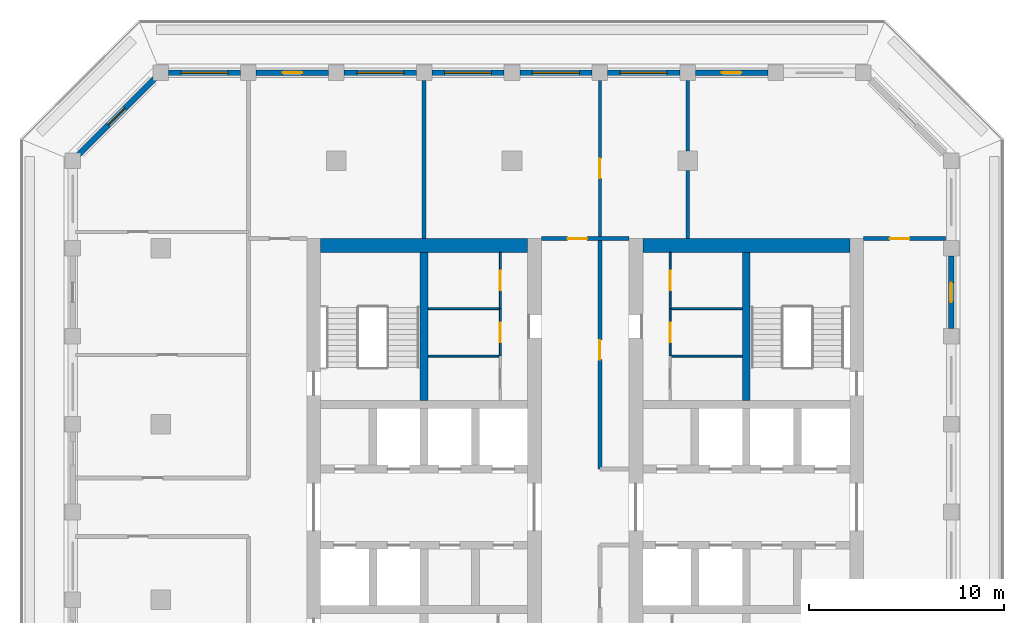
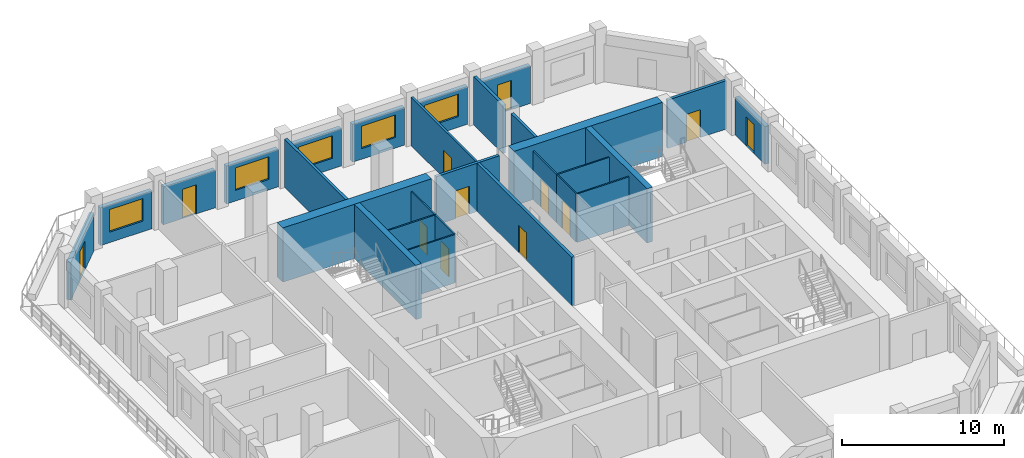
# One storey, part 6 of 14: 28 walls, 12 doors, 5 windows, 17 openings.
"""IFC4 building model written with IfcOpenShell, lengths in metres."""

import ifcopenshell
import ifcopenshell.guid

model = None  # the IFC model being written
_history = None  # IfcOwnerHistory: only IFC2X3 demands one
_inside = {}  # id of a spatial element -> (the spatial element, [elements in it])
_under = {}  # id of a project, library or spatial element -> (it, [spatial elements below it])
_declared = {}  # id of a project -> (the project, [libraries it declares])
_typed = {}  # id of a type object -> (the type object, [elements of that type])
_made_of = {}  # id of a material, layer set ... -> (it, [elements and type objects made of it])


def new_model(schema):
    """Start an empty IFC model of exactly this schema.

    Asked for "IFC4X3", IfcOpenShell would pick the latest addendum, in which some entities
    have other attributes; the version numbers below select the first issue.
    IFC2X3 requires an IfcOwnerHistory on every rooted entity: one is made here for all.
    """
    global model, _history
    if schema == "IFC4X3":
        model = ifcopenshell.file(schema_version=(4, 3, 0, 0))
    else:
        model = ifcopenshell.file(schema=schema)
    _inside.clear()
    _under.clear()
    _declared.clear()
    _typed.clear()
    _made_of.clear()
    _history = None
    if model.schema == "IFC2X3":
        org = make("IfcOrganization", Name="unknown")
        user = make(
            "IfcPersonAndOrganization",
            ThePerson=make("IfcPerson", FamilyName="unknown"),
            TheOrganization=org,
        )
        app = make(
            "IfcApplication",
            ApplicationDeveloper=org,
            Version="unknown",
            ApplicationFullName="unknown",
            ApplicationIdentifier="unknown",
        )
        _history = make(
            "IfcOwnerHistory",
            OwningUser=user,
            OwningApplication=app,
            ChangeAction="ADDED",
            CreationDate=0,
        )
    return model


def make(cls, **values):
    """One entity of the class cls with the attributes given. An attribute that is None is left unset."""
    return model.create_entity(
        cls, **{name: value for name, value in values.items() if value is not None}
    )


def rooted(cls, **values):
    """An entity with a GlobalId (a new one), such as an element, a storey or a relation."""
    return make(cls, GlobalId=ifcopenshell.guid.new(), OwnerHistory=_history, **values)


def si_unit(unit_type, name, prefix=None):
    """IfcSIUnit, for example si_unit("LENGTHUNIT", "METRE", prefix="MILLI")."""
    return make("IfcSIUnit", UnitType=unit_type, Prefix=prefix, Name=name)


def assignment(units):
    """IfcUnitAssignment: the units of a project."""
    return None if units is None else make("IfcUnitAssignment", Units=units)


def point(xyz):
    """IfcCartesianPoint."""
    return None if xyz is None else make("IfcCartesianPoint", Coordinates=xyz)


def direction(xyz):
    """IfcDirection."""
    return None if xyz is None else make("IfcDirection", DirectionRatios=xyz)


def frame(location, z_axis=None, x_axis=None):
    """IfcAxis2Placement3D, a coordinate frame: its origin and axes. An axis left out is left unset."""
    return make(
        "IfcAxis2Placement3D",
        Location=point(location),
        Axis=direction(z_axis),
        RefDirection=direction(x_axis),
    )


def frame_2d(location, x_axis=None):
    """IfcAxis2Placement2D, a coordinate frame in the plane: its origin and x axis."""
    return make(
        "IfcAxis2Placement2D", Location=point(location), RefDirection=direction(x_axis)
    )


def origin():
    """The frame at (0, 0, 0) with its axes left unset."""
    return frame((0.0, 0.0, 0.0))


def place(relative_to, where):
    """IfcLocalPlacement: puts the frame where relative to a parent placement (None: the world)."""
    return make(
        "IfcLocalPlacement", PlacementRelTo=relative_to, RelativePlacement=where
    )


def context(
    kind, dimensions, precision=None, world=None, true_north=None, identifier=None
):
    """IfcGeometricRepresentationContext, for example the 3D "Model" context."""
    return make(
        "IfcGeometricRepresentationContext",
        ContextIdentifier=identifier,
        ContextType=kind,
        CoordinateSpaceDimension=dimensions,
        Precision=precision,
        WorldCoordinateSystem=world,
        TrueNorth=true_north,
    )


def subcontext(parent, identifier, kind, view, scale=None):
    """IfcGeometricRepresentationSubContext, for example "Body" below "Model"."""
    return make(
        "IfcGeometricRepresentationSubContext",
        ContextIdentifier=identifier,
        ContextType=kind,
        ParentContext=parent,
        TargetScale=scale,
        TargetView=view,
    )


def project(units=None, contexts=None):
    """IfcProject with its units and contexts."""
    return rooted(
        "IfcProject",
        Name="project",
        RepresentationContexts=contexts,
        UnitsInContext=assignment(units),
    )


def spatial(cls, under=None, at=None, **own):
    """A site, building, storey or space (cls), placed at a placement, below another one or the project."""
    s = rooted(cls, ObjectPlacement=at, **own)
    if under is not None:
        _under.setdefault(under.id(), (under, []))[1].append(s)
    return s


def profile(cls, at=None, kind="AREA", **sizes):
    """A parametric profile (cls). Its sizes go by their IFC names, for example OverallWidth=200.0."""
    return make(cls, ProfileType=kind, Position=at, **sizes)


def rectangle(**sizes):
    """IfcRectangleProfileDef."""
    return profile("IfcRectangleProfileDef", **sizes)


def extrude(swept, where, along, depth):
    """IfcExtrudedAreaSolid: the profile swept, set in the frame where, extruded along a direction by depth."""
    return make(
        "IfcExtrudedAreaSolid",
        SweptArea=swept,
        Position=where,
        ExtrudedDirection=direction(along),
        Depth=depth,
    )


def shape(context_of_items, identifier, shape_type, items):
    """IfcShapeRepresentation: the items that make up one representation, for example the "Body"."""
    return make(
        "IfcShapeRepresentation",
        ContextOfItems=context_of_items,
        RepresentationIdentifier=identifier,
        RepresentationType=shape_type,
        Items=items,
    )


def material(Name=None, Category=None):
    """IfcMaterial."""
    return make("IfcMaterial", Name=Name, Category=Category)


def layer(
    of_material, thickness, ventilated=None, Name=None, Category=None, Priority=None
):
    """IfcMaterialLayer: one layer of a wall or slab, of a material (None: an air gap)."""
    return make(
        "IfcMaterialLayer",
        Material=of_material,
        LayerThickness=thickness,
        IsVentilated=ventilated,
        Name=Name,
        Category=Category,
        Priority=Priority,
    )


def layer_set(layers, Name=None):
    """IfcMaterialLayerSet."""
    return make("IfcMaterialLayerSet", MaterialLayers=layers, LayerSetName=Name)


def made_of(thing, what):
    """Note that an element or type object is made of a material, layer set ...; save() writes the relation."""
    if what is not None:
        _made_of.setdefault(what.id(), (what, []))[1].append(thing)
    return thing


def type_object(cls, material=None, **own):
    """A type object (cls), such as IfcWallType, which elements share."""
    return made_of(rooted(cls, **own), material)


def element(
    cls,
    number,
    at=None,
    inside=None,
    cuts=None,
    type_object=None,
    material=None,
    context=None,
    identifier="Body",
    shape_type=None,
    held_by="IfcProductDefinitionShape",
    body=None,
    shapes=None,
    **own,
):
    """One element of the class cls, such as IfcWall. Its Tag is "e" and its number.

    at: its placement. inside: the storey or other place that contains it. cuts: it is an
    opening in that element (IfcRelVoidsElement). A single representation is given by context,
    identifier, shape_type and body (its items); several are given by shapes. held_by: the class
    of the entity that holds the representations. save() writes the other relations.
    """
    e = rooted(cls, Tag="e%d" % number, ObjectPlacement=at, **own)
    if body is not None:
        shapes = [shape(context, identifier, shape_type, body)]
    if shapes is not None:
        e.Representation = make(held_by, Representations=shapes)
    if inside is not None:
        _inside.setdefault(inside.id(), (inside, []))[1].append(e)
    if cuts is not None:
        rooted(
            "IfcRelVoidsElement", RelatingBuildingElement=cuts, RelatedOpeningElement=e
        )
    if type_object is not None:
        _typed.setdefault(type_object.id(), (type_object, []))[1].append(e)
    return made_of(e, material)


def fill(opening, filler):
    """IfcRelFillsElement: the door or window that sits in an opening."""
    return rooted(
        "IfcRelFillsElement",
        RelatingOpeningElement=opening,
        RelatedBuildingElement=filler,
    )


def aggregate(whole, parts):
    """IfcRelAggregates: a whole, such as a stair, and the parts it consists of."""
    return rooted("IfcRelAggregates", RelatingObject=whole, RelatedObjects=parts)


def save(model, path):
    """Write the relations noted so far, then the file.

    IfcRelAggregates (storeys below a building ...), IfcRelContainedInSpatialStructure (elements
    in a storey), IfcRelDefinesByType, IfcRelAssociatesMaterial and IfcRelDeclares: one each for
    every whole, place, type object, material and project.
    """
    for whole, parts in _under.values():
        aggregate(whole, parts)
    for where, things in _inside.values():
        rooted(
            "IfcRelContainedInSpatialStructure",
            RelatedElements=things,
            RelatingStructure=where,
        )
    for kind, things in _typed.values():
        rooted("IfcRelDefinesByType", RelatedObjects=things, RelatingType=kind)
    for what, things in _made_of.values():
        rooted("IfcRelAssociatesMaterial", RelatedObjects=things, RelatingMaterial=what)
    for by, libraries in _declared.values():
        rooted("IfcRelDeclares", RelatingContext=by, RelatedDefinitions=libraries)
    model.write(path)


model = new_model("IFC4")

# Units and contexts
model_context = context("Model", 3, precision=1e-05, world=origin(), true_north=direction((0.0, 1.0)))
body_context = subcontext(model_context, "Body", "Model", "MODEL_VIEW")
ifc_project = project(units=[si_unit("LENGTHUNIT", "METRE"), si_unit("AREAUNIT", "SQUARE_METRE"), si_unit("VOLUMEUNIT", "CUBIC_METRE"), si_unit("PLANEANGLEUNIT", "RADIAN"), si_unit("MASSUNIT", "GRAM", prefix="KILO")], contexts=[model_context])

# Site, building, storey
site_placement = place(None, origin())
site = spatial("IfcSite", under=ifc_project, at=site_placement, CompositionType="ELEMENT")
building_placement = place(site_placement, origin())
building = spatial("IfcBuilding", under=site, at=building_placement, Name="Corbel Stack Research Tower", CompositionType="ELEMENT")
storey_placement = place(building_placement, frame((0.0, 0.0, 286.800048828125)))
storey = spatial("IfcBuildingStorey", under=building, at=storey_placement, Name="L65", CompositionType="ELEMENT", Elevation=286.800048828125)

# Walls
ifc_material_1 = material(Name="Concrete C60/75", Category="concrete")
ifc_layer_1 = layer(ifc_material_1, 0.39990234375)
ifc_layer_set_1 = layer_set([ifc_layer_1], Name="Concrete C60/75")
wall_type_1 = type_object("IfcWallType", Name="CW-400-60", PredefinedType="SHEAR", material=ifc_layer_set_1)
for number, where, z_axis, x_axis, name in (
    (1, (-4.5, 10.199951171875, 0.0), (0.0, 0.0, 1.0), (0.0, 1.0, 0.0), "West core wall, north stair and riser L65"),
    (2, (12.0, 10.199951171875, 0.0), (0.0, 0.0, 1.0), (0.0, 1.0, 0.0), "East core wall, north stair and riser L65"),
):
    element("IfcWall", number, at=place(storey_placement, frame(where, z_axis=z_axis, x_axis=x_axis)), inside=storey, type_object=wall_type_1, Name=name, PredefinedType="SHEAR", context=body_context, shape_type="SweptSolid", body=[
        extrude(rectangle(XDim=7.60009765625, YDim=0.39990234375, at=frame_2d((3.800048828125, 0.0))), origin(), (0.0, 0.0, 1.0), 4.099853515625),
    ])
ifc_material_2 = material(Name="Concrete C60/75", Category="concrete")
ifc_layer_2 = layer(ifc_material_2, 0.699951171875)
ifc_layer_set_2 = layer_set([ifc_layer_2], Name="Concrete C60/75")
wall_type_2 = type_object("IfcWallType", Name="CW-700-60", PredefinedType="SHEAR", material=ifc_layer_set_2)
for number, where, z_axis, x_axis, name in (
    (3, (-9.800048828125, 18.14990234375, 0.0), (0.0, 0.0, 1.0), (1.0, 0.0, 0.0), "West core wall, north end L65"),
    (4, (6.699951171875, 18.14990234375, 0.0), (0.0, 0.0, 1.0), (1.0, 0.0, 0.0), "East core wall, north end L65"),
):
    element("IfcWall", number, at=place(storey_placement, frame(where, z_axis=z_axis, x_axis=x_axis)), inside=storey, type_object=wall_type_2, Name=name, PredefinedType="SHEAR", context=body_context, shape_type="SweptSolid", body=[
        extrude(rectangle(XDim=10.60009765625, YDim=0.699951171875, at=frame_2d((5.300048828125, 0.0))), origin(), (0.0, 0.0, 1.0), 4.099853515625),
    ])

# Wall, opening, door
ifc_material_3 = material(Name="Gypsum board")
ifc_layer_3 = layer(ifc_material_3, 0.10009765625)
ifc_layer_set_3 = layer_set([ifc_layer_3], Name="Gypsum board")
wall_type_3 = type_object("IfcWallType", Name="Core partition 100", PredefinedType="PARTITIONING", material=ifc_layer_set_3)
wall_1_placement = place(storey_placement, frame((-0.60009765625, 12.47998046875, 0.0), z_axis=(0.0, 0.0, 1.0), x_axis=(0.0, 1.0, 0.0)))
wall_1 = element("IfcWall", 5, at=wall_1_placement, inside=storey, type_object=wall_type_3, Name="Core partition W", PredefinedType="PARTITIONING", context=body_context, shape_type="SweptSolid", body=[
    extrude(rectangle(XDim=2.43212890625, YDim=0.10009765625, at=frame_2d((1.216064453125, 0.0))), origin(), (0.0, 0.0, 1.0), 3.64990234375),
])
opening_1_placement = place(wall_1_placement, frame((0.716064453125, 0.0, 0.0)))
opening_1 = element("IfcOpeningElement", 6, at=opening_1_placement, cuts=wall_1, Name="Opening CR-W42-R3-1000", PredefinedType="OPENING", context=body_context, shape_type="SweptSolid", body=[
    extrude(rectangle(XDim=1.0, YDim=2.10009765625, at=frame_2d((0.5, 1.050048828125))), frame((0.0, 0.06005859375, 0.0), z_axis=(0.0, -1.0, 0.0), x_axis=(1.0, 0.0, 0.0)), (0.0, 0.0, 1.0), 0.1201171875),
])
ifc_material_4 = material(Name="Painted steel door", Category="steel")
door_type_1 = type_object("IfcDoorType", Name="Service door 1000 x 2100 FD30 left hand", OperationType="SINGLE_SWING_LEFT", PredefinedType="DOOR", material=ifc_material_4)
door_1_placement = place(opening_1_placement, origin())
door_1 = element("IfcDoor", 7, at=door_1_placement, inside=storey, type_object=door_type_1, Name="Pantry door W core", OperationType="SINGLE_SWING_LEFT", OverallHeight=2.10009765625, OverallWidth=1.0, PredefinedType="DOOR", context=body_context, shape_type="SweptSolid", body=[
    extrude(rectangle(XDim=1.0, YDim=2.10009765625, at=frame_2d((0.5, 1.050048828125))), frame((0.0, 0.02490234375, 0.0), z_axis=(0.0, -1.0, 0.0), x_axis=(1.0, 0.0, 0.0)), (0.0, 0.0, 1.0), 0.050048828125),
])
fill(opening_1, door_1)

wall_2_placement = place(storey_placement, frame((-0.60009765625, 14.912109375, 0.0), z_axis=(0.0, 0.0, 1.0), x_axis=(0.0, 1.0, 0.0)))
wall_2 = element("IfcWall", 8, at=wall_2_placement, inside=storey, type_object=wall_type_3, Name="Core partition W", PredefinedType="PARTITIONING", context=body_context, shape_type="SweptSolid", body=[
    extrude(rectangle(XDim=2.887939453125, YDim=0.10009765625, at=frame_2d((1.44384765625, 0.0))), origin(), (0.0, 0.0, 1.0), 3.64990234375),
])
opening_2_placement = place(wall_2_placement, frame((0.944091796875, 0.0, 0.0)))
opening_2 = element("IfcOpeningElement", 9, at=opening_2_placement, cuts=wall_2, Name="Opening CR-W42-R4-1000", PredefinedType="OPENING", context=body_context, shape_type="SweptSolid", body=[
    extrude(rectangle(XDim=1.0, YDim=2.10009765625, at=frame_2d((0.5, 1.050048828125))), frame((0.0, 0.06005859375, 0.0), z_axis=(0.0, -1.0, 0.0), x_axis=(1.0, 0.0, 0.0)), (0.0, 0.0, 1.0), 0.1201171875),
])
ifc_material_5 = material(Name="Painted steel door", Category="steel")
door_type_2 = type_object("IfcDoorType", Name="Riser door 1000 x 2100 FD60 right hand", OperationType="SINGLE_SWING_RIGHT", PredefinedType="DOOR", material=ifc_material_5)
door_2_placement = place(opening_2_placement, origin())
door_2 = element("IfcDoor", 10, at=door_2_placement, inside=storey, type_object=door_type_2, Name="Electrical riser door W core", OperationType="SINGLE_SWING_RIGHT", OverallHeight=2.10009765625, OverallWidth=1.0, PredefinedType="DOOR", context=body_context, shape_type="SweptSolid", body=[
    extrude(rectangle(XDim=1.0, YDim=2.10009765625, at=frame_2d((0.5, 1.050048828125))), frame((0.0, 0.02490234375, 0.0), z_axis=(0.0, -1.0, 0.0), x_axis=(1.0, 0.0, 0.0)), (0.0, 0.0, 1.0), 0.050048828125),
])
fill(opening_2, door_2)

# Walls
for number, where, z_axis, x_axis, name in (
    (11, (-4.300048828125, 12.47998046875, 0.0), (0.0, 0.0, 1.0), (1.0, 0.0, 0.0), "Core partition W"),
    (12, (-4.300048828125, 14.912109375, 0.0), (0.0, 0.0, 1.0), (1.0, 0.0, 0.0), "Core partition W"),
):
    element("IfcWall", number, at=place(storey_placement, frame(where, z_axis=z_axis, x_axis=x_axis)), inside=storey, type_object=wall_type_3, Name=name, PredefinedType="PARTITIONING", context=body_context, shape_type="SweptSolid", body=[
        extrude(rectangle(XDim=3.699951171875, YDim=0.10009765625, at=frame_2d((1.85009765625, 0.0))), origin(), (0.0, 0.0, 1.0), 3.64990234375),
    ])

# Wall, opening, door
wall_3_placement = place(storey_placement, frame((8.10009765625, 12.47998046875, 0.0), z_axis=(0.0, 0.0, 1.0), x_axis=(0.0, 1.0, 0.0)))
wall_3 = element("IfcWall", 13, at=wall_3_placement, inside=storey, type_object=wall_type_3, Name="Core partition E", PredefinedType="PARTITIONING", context=body_context, shape_type="SweptSolid", body=[
    extrude(rectangle(XDim=2.43212890625, YDim=0.10009765625, at=frame_2d((1.216064453125, 0.0))), origin(), (0.0, 0.0, 1.0), 3.64990234375),
])
opening_3_placement = place(wall_3_placement, frame((0.716064453125, 0.0, 0.0)))
opening_3 = element("IfcOpeningElement", 14, at=opening_3_placement, cuts=wall_3, Name="Opening CR-E42-R3-1000", PredefinedType="OPENING", context=body_context, shape_type="SweptSolid", body=[
    extrude(rectangle(XDim=1.0, YDim=2.10009765625, at=frame_2d((0.5, 1.050048828125))), frame((0.0, 0.06005859375, 0.0), z_axis=(0.0, -1.0, 0.0), x_axis=(1.0, 0.0, 0.0)), (0.0, 0.0, 1.0), 0.1201171875),
])
ifc_material_6 = material(Name="Painted steel door", Category="steel")
door_type_3 = type_object("IfcDoorType", Name="Service door 1000 x 2100 FD30 right hand", OperationType="SINGLE_SWING_RIGHT", PredefinedType="DOOR", material=ifc_material_6)
door_3_placement = place(opening_3_placement, origin())
door_3 = element("IfcDoor", 15, at=door_3_placement, inside=storey, type_object=door_type_3, Name="Pantry door E core", OperationType="SINGLE_SWING_RIGHT", OverallHeight=2.10009765625, OverallWidth=1.0, PredefinedType="DOOR", context=body_context, shape_type="SweptSolid", body=[
    extrude(rectangle(XDim=1.0, YDim=2.10009765625, at=frame_2d((0.5, 1.050048828125))), frame((0.0, 0.02490234375, 0.0), z_axis=(0.0, -1.0, 0.0), x_axis=(1.0, 0.0, 0.0)), (0.0, 0.0, 1.0), 0.050048828125),
])
fill(opening_3, door_3)

wall_4_placement = place(storey_placement, frame((8.10009765625, 14.912109375, 0.0), z_axis=(0.0, 0.0, 1.0), x_axis=(0.0, 1.0, 0.0)))
wall_4 = element("IfcWall", 16, at=wall_4_placement, inside=storey, type_object=wall_type_3, Name="Core partition E", PredefinedType="PARTITIONING", context=body_context, shape_type="SweptSolid", body=[
    extrude(rectangle(XDim=2.887939453125, YDim=0.10009765625, at=frame_2d((1.44384765625, 0.0))), origin(), (0.0, 0.0, 1.0), 3.64990234375),
])
opening_4_placement = place(wall_4_placement, frame((0.944091796875, 0.0, 0.0)))
opening_4 = element("IfcOpeningElement", 17, at=opening_4_placement, cuts=wall_4, Name="Opening CR-E42-R4-1000", PredefinedType="OPENING", context=body_context, shape_type="SweptSolid", body=[
    extrude(rectangle(XDim=1.0, YDim=2.10009765625, at=frame_2d((0.5, 1.050048828125))), frame((0.0, 0.06005859375, 0.0), z_axis=(0.0, -1.0, 0.0), x_axis=(1.0, 0.0, 0.0)), (0.0, 0.0, 1.0), 0.1201171875),
])
ifc_material_7 = material(Name="Painted steel door", Category="steel")
door_type_4 = type_object("IfcDoorType", Name="Riser door 1000 x 2100 FD60 left hand", OperationType="SINGLE_SWING_LEFT", PredefinedType="DOOR", material=ifc_material_7)
door_4_placement = place(opening_4_placement, origin())
door_4 = element("IfcDoor", 18, at=door_4_placement, inside=storey, type_object=door_type_4, Name="Electrical riser door E core", OperationType="SINGLE_SWING_LEFT", OverallHeight=2.10009765625, OverallWidth=1.0, PredefinedType="DOOR", context=body_context, shape_type="SweptSolid", body=[
    extrude(rectangle(XDim=1.0, YDim=2.10009765625, at=frame_2d((0.5, 1.050048828125))), frame((0.0, 0.02490234375, 0.0), z_axis=(0.0, -1.0, 0.0), x_axis=(1.0, 0.0, 0.0)), (0.0, 0.0, 1.0), 0.050048828125),
])
fill(opening_4, door_4)

# Walls
for number, where, z_axis, x_axis, name in (
    (19, (8.10009765625, 12.47998046875, 0.0), (0.0, 0.0, 1.0), (1.0, 0.0, 0.0), "Core partition E"),
    (20, (8.10009765625, 14.912109375, 0.0), (0.0, 0.0, 1.0), (1.0, 0.0, 0.0), "Core partition E"),
):
    element("IfcWall", number, at=place(storey_placement, frame(where, z_axis=z_axis, x_axis=x_axis)), inside=storey, type_object=wall_type_3, Name=name, PredefinedType="PARTITIONING", context=body_context, shape_type="SweptSolid", body=[
        extrude(rectangle(XDim=3.699951171875, YDim=0.10009765625, at=frame_2d((1.85009765625, 0.0))), origin(), (0.0, 0.0, 1.0), 3.64990234375),
    ])

# Wall, opening, door
ifc_material_8 = material(Name="Fire-rated gypsum board partition on steel studs", Category="steel")
ifc_layer_4 = layer(ifc_material_8, 0.14990234375)
ifc_layer_set_4 = layer_set([ifc_layer_4], Name="Fire-rated gypsum board partition on steel studs")
wall_type_4 = type_object("IfcWallType", Name="Fire-rated partition 150 EI 60", PredefinedType="PARTITIONING", material=ifc_layer_set_4)
wall_5_placement = place(storey_placement, frame((4.5, 26.60009765625, 0.0), z_axis=(0.0, 0.0, 1.0), x_axis=(0.0, -1.0, 0.0)))
wall_5 = element("IfcWall", 21, at=wall_5_placement, inside=storey, type_object=wall_type_4, Name="Partition L65-006", PredefinedType="PARTITIONING", context=body_context, shape_type="SweptSolid", body=[
    extrude(rectangle(XDim=8.10009765625, YDim=0.14990234375, at=frame_2d((4.050048828125, 0.0))), origin(), (0.0, 0.0, 1.0), 3.64990234375),
])
opening_5_placement = place(wall_5_placement, frame((4.0, 0.0, 0.0)))
opening_5 = element("IfcOpeningElement", 22, at=opening_5_placement, cuts=wall_5, Name="Opening B8V2-011", PredefinedType="OPENING", context=body_context, shape_type="SweptSolid", body=[
    extrude(rectangle(XDim=1.0, YDim=2.10009765625, at=frame_2d((0.5, 1.050048828125))), frame((0.0, 0.0849609375, 0.0), z_axis=(0.0, -1.0, 0.0), x_axis=(1.0, 0.0, 0.0)), (0.0, 0.0, 1.0), 0.169921875),
])
ifc_material_9 = material(Name="Painted steel fire door", Category="steel")
door_type_5 = type_object("IfcDoorType", Name="Fire door FD30S 1000 x 2100", OperationType="NOTDEFINED", PredefinedType="DOOR", material=ifc_material_9)
door_5_placement = place(opening_5_placement, origin())
door_5 = element("IfcDoor", 23, at=door_5_placement, inside=storey, type_object=door_type_5, Name="Door B8V2-011", OperationType="SINGLE_SWING_RIGHT", OverallHeight=2.10009765625, OverallWidth=1.0, PredefinedType="DOOR", context=body_context, shape_type="SweptSolid", body=[
    extrude(rectangle(XDim=1.0, YDim=2.10009765625, at=frame_2d((0.5, 1.050048828125))), frame((0.0, 0.02490234375, 0.0), z_axis=(0.0, -1.0, 0.0), x_axis=(1.0, 0.0, 0.0)), (0.0, 0.0, 1.0), 0.050048828125),
])
fill(opening_5, door_5)

# Wall
ifc_material_10 = material(Name="Fire-rated gypsum board partition on steel studs", Category="steel")
ifc_layer_5 = layer(ifc_material_10, 0.199951171875)
ifc_layer_set_5 = layer_set([ifc_layer_5], Name="Fire-rated gypsum board partition on steel studs")
wall_type_5 = type_object("IfcWallType", Name="Fire-rated partition 200 EI 60", PredefinedType="PARTITIONING", material=ifc_layer_set_5)
wall_6_placement = place(storey_placement, frame((-4.5, 18.5, 0.0), z_axis=(0.0, 0.0, 1.0), x_axis=(0.0, 1.0, 0.0)))
element("IfcWall", 24, at=wall_6_placement, inside=storey, type_object=wall_type_5, Name="Partition L65-004", PredefinedType="PARTITIONING", context=body_context, shape_type="SweptSolid", body=[
    extrude(rectangle(XDim=8.10009765625, YDim=0.199951171875, at=frame_2d((4.050048828125, 0.0))), origin(), (0.0, 0.0, 1.0), 3.64990234375),
])

# Wall, opening, door
wall_7_placement = place(storey_placement, frame((4.5, 18.5, 0.0), z_axis=(0.0, 0.0, 1.0), x_axis=(0.0, -1.0, 0.0)))
wall_7 = element("IfcWall", 25, at=wall_7_placement, inside=storey, type_object=wall_type_5, Name="Partition L65-009", PredefinedType="PARTITIONING", context=body_context, shape_type="SweptSolid", body=[
    extrude(rectangle(XDim=11.800048828125, YDim=0.199951171875, at=frame_2d((5.89990234375, 0.0))), origin(), (0.0, 0.0, 1.0), 3.64990234375),
])
opening_6_placement = place(wall_7_placement, frame((5.199951171875, 0.0, 0.0)))
opening_6 = element("IfcOpeningElement", 26, at=opening_6_placement, cuts=wall_7, Name="Opening B8V2-010", PredefinedType="OPENING", context=body_context, shape_type="SweptSolid", body=[
    extrude(rectangle(XDim=1.0, YDim=2.10009765625, at=frame_2d((0.5, 1.050048828125))), frame((0.0, 0.10986328125, 0.0), z_axis=(0.0, -1.0, 0.0), x_axis=(1.0, 0.0, 0.0)), (0.0, 0.0, 1.0), 0.219970703125),
])
door_6_placement = place(opening_6_placement, origin())
door_6 = element("IfcDoor", 27, at=door_6_placement, inside=storey, type_object=door_type_5, Name="Door B8V2-010", OperationType="SINGLE_SWING_LEFT", OverallHeight=2.10009765625, OverallWidth=1.0, PredefinedType="DOOR", context=body_context, shape_type="SweptSolid", body=[
    extrude(rectangle(XDim=1.0, YDim=2.10009765625, at=frame_2d((0.5, 1.050048828125))), frame((0.0, 0.02490234375, 0.0), z_axis=(0.0, -1.0, 0.0), x_axis=(1.0, 0.0, 0.0)), (0.0, 0.0, 1.0), 0.050048828125),
])
fill(opening_6, door_6)

# Walls
wall_8_placement = place(storey_placement, frame((9.0, 18.5, 0.0), z_axis=(0.0, 0.0, 1.0), x_axis=(0.0, 1.0, 0.0)))
element("IfcWall", 28, at=wall_8_placement, inside=storey, type_object=wall_type_5, Name="Partition L65-011", PredefinedType="PARTITIONING", context=body_context, shape_type="SweptSolid", body=[
    extrude(rectangle(XDim=3.5, YDim=0.199951171875, at=frame_2d((1.75, 0.0))), origin(), (0.0, 0.0, 1.0), 3.64990234375),
])
wall_9_placement = place(storey_placement, frame((9.0, 23.0, 0.0), z_axis=(0.0, 0.0, 1.0), x_axis=(0.0, 1.0, 0.0)))
element("IfcWall", 29, at=wall_9_placement, inside=storey, type_object=wall_type_5, Name="Partition L65-012", PredefinedType="PARTITIONING", context=body_context, shape_type="SweptSolid", body=[
    extrude(rectangle(XDim=3.60009765625, YDim=0.199951171875, at=frame_2d((1.800048828125, 0.0))), origin(), (0.0, 0.0, 1.0), 3.64990234375),
])

# Wall, opening, door
wall_10_placement = place(storey_placement, frame((1.5, 18.5, 0.0), z_axis=(0.0, 0.0, 1.0), x_axis=(1.0, 0.0, 0.0)))
wall_10 = element("IfcWall", 30, at=wall_10_placement, inside=storey, type_object=wall_type_5, Name="Partition L65-027", PredefinedType="PARTITIONING", context=body_context, shape_type="SweptSolid", body=[
    extrude(rectangle(XDim=4.5, YDim=0.199951171875, at=frame_2d((2.25, 0.0))), origin(), (0.0, 0.0, 1.0), 3.64990234375),
])
opening_7_placement = place(wall_10_placement, frame((1.35009765625, 0.0, 0.0)))
opening_7 = element("IfcOpeningElement", 31, at=opening_7_placement, cuts=wall_10, Name="Opening B8V2-015", PredefinedType="OPENING", context=body_context, shape_type="SweptSolid", body=[
    extrude(rectangle(XDim=1.0, YDim=2.10009765625, at=frame_2d((0.5, 1.050048828125))), frame((0.0, 0.10986328125, 0.0), z_axis=(0.0, -1.0, 0.0), x_axis=(1.0, 0.0, 0.0)), (0.0, 0.0, 1.0), 0.219970703125),
])
door_7_placement = place(opening_7_placement, origin())
door_7 = element("IfcDoor", 32, at=door_7_placement, inside=storey, type_object=door_type_5, Name="Door B8V2-015", OperationType="SINGLE_SWING_LEFT", OverallHeight=2.10009765625, OverallWidth=1.0, PredefinedType="DOOR", context=body_context, shape_type="SweptSolid", body=[
    extrude(rectangle(XDim=1.0, YDim=2.10009765625, at=frame_2d((0.5, 1.050048828125))), frame((0.0, 0.02490234375, 0.0), z_axis=(0.0, -1.0, 0.0), x_axis=(1.0, 0.0, 0.0)), (0.0, 0.0, 1.0), 0.050048828125),
])
fill(opening_7, door_7)

wall_11_placement = place(storey_placement, frame((18.0, 18.5, 0.0), z_axis=(0.0, 0.0, 1.0), x_axis=(1.0, 0.0, 0.0)))
wall_11 = element("IfcWall", 33, at=wall_11_placement, inside=storey, type_object=wall_type_5, Name="Partition L65-028", PredefinedType="PARTITIONING", context=body_context, shape_type="SweptSolid", body=[
    extrude(rectangle(XDim=4.200927734375, YDim=0.199951171875, at=frame_2d((2.1005859375, 0.0))), origin(), (0.0, 0.0, 1.0), 3.64990234375),
])
opening_8_placement = place(wall_11_placement, frame((1.35009765625, 0.0, 0.0)))
opening_8 = element("IfcOpeningElement", 34, at=opening_8_placement, cuts=wall_11, Name="Opening B8V2-016", PredefinedType="OPENING", context=body_context, shape_type="SweptSolid", body=[
    extrude(rectangle(XDim=1.0, YDim=2.10009765625, at=frame_2d((0.5, 1.050048828125))), frame((0.0, 0.10986328125, 0.0), z_axis=(0.0, -1.0, 0.0), x_axis=(1.0, 0.0, 0.0)), (0.0, 0.0, 1.0), 0.219970703125),
])
door_8_placement = place(opening_8_placement, origin())
door_8 = element("IfcDoor", 35, at=door_8_placement, inside=storey, type_object=door_type_5, Name="Door B8V2-016", OperationType="SINGLE_SWING_LEFT", OverallHeight=2.10009765625, OverallWidth=1.0, PredefinedType="DOOR", context=body_context, shape_type="SweptSolid", body=[
    extrude(rectangle(XDim=1.0, YDim=2.10009765625, at=frame_2d((0.5, 1.050048828125))), frame((0.0, 0.02490234375, 0.0), z_axis=(0.0, -1.0, 0.0), x_axis=(1.0, 0.0, 0.0)), (0.0, 0.0, 1.0), 0.050048828125),
])
fill(opening_8, door_8)

ifc_material_11 = material(Name="Concrete C45/55", Category="concrete")
ifc_layer_6 = layer(ifc_material_11, 0.300048828125)
ifc_layer_set_6 = layer_set([ifc_layer_6], Name="Concrete C45/55")
wall_type_6 = type_object("IfcWallType", Name="Terracotta-faced concrete wall 300", PredefinedType="SOLIDWALL", material=ifc_layer_set_6)
wall_12_placement = place(storey_placement, frame((22.5, 17.60009765625, 0.0), z_axis=(0.0, 0.0, 1.0), x_axis=(0.0, -1.0, 0.0)))
wall_12 = element("IfcWall", 36, at=wall_12_placement, inside=storey, type_object=wall_type_6, Name="Facade wall L65 E07", PredefinedType="SOLIDWALL", context=body_context, shape_type="SweptSolid", body=[
    extrude(rectangle(XDim=3.7001953125, YDim=0.300048828125, at=frame_2d((1.85009765625, 0.0))), origin(), (0.0, 0.0, 1.0), 2.849853515625),
])
opening_9_placement = place(wall_12_placement, frame((1.35009765625, 0.0, 0.0)))
opening_9 = element("IfcOpeningElement", 37, at=opening_9_placement, cuts=wall_12, Name="Opening L65-B05", PredefinedType="OPENING", context=body_context, shape_type="SweptSolid", body=[
    extrude(rectangle(XDim=1.0, YDim=2.199951171875, at=frame_2d((0.5, 1.10009765625))), frame((0.0, 0.159912109375, 0.0), z_axis=(0.0, -1.0, 0.0), x_axis=(1.0, 0.0, 0.0)), (0.0, 0.0, 1.0), 0.320068359375),
])
ifc_material_12 = material(Name="Aluminium frame, clear double glazing", Category="aluminium")
door_type_6 = type_object("IfcDoorType", Name="Balcony door BD1 1000 x 2200", OperationType="NOTDEFINED", PredefinedType="DOOR", material=ifc_material_12)
door_9_placement = place(opening_9_placement, origin())
door_9 = element("IfcDoor", 38, at=door_9_placement, inside=storey, type_object=door_type_6, Name="Balcony door L65-B05", OperationType="SINGLE_SWING_RIGHT", OverallHeight=2.199951171875, OverallWidth=1.0, PredefinedType="DOOR", context=body_context, shape_type="SweptSolid", body=[
    extrude(rectangle(XDim=1.0, YDim=2.199951171875, at=frame_2d((0.5, 1.10009765625))), frame((0.0, 0.02490234375, 0.0), z_axis=(0.0, -1.0, 0.0), x_axis=(1.0, 0.0, 0.0)), (0.0, 0.0, 1.0), 0.050048828125),
])
fill(opening_9, door_9)

wall_13_placement = place(storey_placement, frame((9.39990234375, 27.0, 0.0), z_axis=(0.0, 0.0, 1.0), x_axis=(1.0, 0.0, 0.0)))
wall_13 = element("IfcWall", 39, at=wall_13_placement, inside=storey, type_object=wall_type_6, Name="Facade wall L65 N02", PredefinedType="SOLIDWALL", context=body_context, shape_type="SweptSolid", body=[
    extrude(rectangle(XDim=3.7001953125, YDim=0.300048828125, at=frame_2d((1.85009765625, 0.0))), origin(), (0.0, 0.0, 1.0), 2.849853515625),
])
opening_10_placement = place(wall_13_placement, frame((1.35009765625, 0.0, 0.0)))
opening_10 = element("IfcOpeningElement", 40, at=opening_10_placement, cuts=wall_13, Name="Opening L65-B07", PredefinedType="OPENING", context=body_context, shape_type="SweptSolid", body=[
    extrude(rectangle(XDim=1.0, YDim=2.199951171875, at=frame_2d((0.5, 1.10009765625))), frame((0.0, 0.159912109375, 0.0), z_axis=(0.0, -1.0, 0.0), x_axis=(1.0, 0.0, 0.0)), (0.0, 0.0, 1.0), 0.320068359375),
])
door_10_placement = place(opening_10_placement, origin())
door_10 = element("IfcDoor", 41, at=door_10_placement, inside=storey, type_object=door_type_6, Name="Balcony door L65-B07", OperationType="SINGLE_SWING_LEFT", OverallHeight=2.199951171875, OverallWidth=1.0, PredefinedType="DOOR", context=body_context, shape_type="SweptSolid", body=[
    extrude(rectangle(XDim=1.0, YDim=2.199951171875, at=frame_2d((0.5, 1.10009765625))), frame((0.0, 0.02490234375, 0.0), z_axis=(0.0, -1.0, 0.0), x_axis=(1.0, 0.0, 0.0)), (0.0, 0.0, 1.0), 0.050048828125),
])
fill(opening_10, door_10)

# Wall, opening, window
wall_14_placement = place(storey_placement, frame((4.89990234375, 27.0, 0.0), z_axis=(0.0, 0.0, 1.0), x_axis=(1.0, 0.0, 0.0)))
wall_14 = element("IfcWall", 42, at=wall_14_placement, inside=storey, type_object=wall_type_6, Name="Facade wall L65 N03", PredefinedType="SOLIDWALL", context=body_context, shape_type="SweptSolid", body=[
    extrude(rectangle(XDim=3.7001953125, YDim=0.300048828125, at=frame_2d((1.85009765625, 0.0))), origin(), (0.0, 0.0, 1.0), 2.849853515625),
])
opening_11_placement = place(wall_14_placement, frame((0.64990234375, 0.0, 0.800048828125)))
opening_11 = element("IfcOpeningElement", 43, at=opening_11_placement, cuts=wall_14, Name="Opening W1", PredefinedType="OPENING", context=body_context, shape_type="SweptSolid", body=[
    extrude(rectangle(XDim=2.39990234375, YDim=1.699951171875, at=frame_2d((1.199951171875, 0.85009765625))), frame((0.0, 0.159912109375, 0.0), z_axis=(0.0, -1.0, 0.0), x_axis=(1.0, 0.0, 0.0)), (0.0, 0.0, 1.0), 0.320068359375),
])
ifc_material_13 = material(Name="Aluminium frame, clear double glazing", Category="aluminium")
window_type = type_object("IfcWindowType", Name="Window W1 2400 x 1700", PartitioningType="SINGLE_PANEL", PredefinedType="WINDOW", material=ifc_material_13)
window_1_placement = place(opening_11_placement, origin())
window_1 = element("IfcWindow", 44, at=window_1_placement, inside=storey, type_object=window_type, Name="Window W1 L65 N03", OverallHeight=1.699951171875, OverallWidth=2.39990234375, PartitioningType="SINGLE_PANEL", PredefinedType="WINDOW", context=body_context, shape_type="SweptSolid", body=[
    extrude(rectangle(XDim=2.39990234375, YDim=1.699951171875, at=frame_2d((1.199951171875, 0.85009765625))), frame((0.0, 0.030029296875, 0.0), z_axis=(0.0, -1.0, 0.0), x_axis=(1.0, 0.0, 0.0)), (0.0, 0.0, 1.0), 0.06005859375),
])
fill(opening_11, window_1)

wall_15_placement = place(storey_placement, frame((0.39990234375, 27.0, 0.0), z_axis=(0.0, 0.0, 1.0), x_axis=(1.0, 0.0, 0.0)))
wall_15 = element("IfcWall", 45, at=wall_15_placement, inside=storey, type_object=wall_type_6, Name="Facade wall L65 N04", PredefinedType="SOLIDWALL", context=body_context, shape_type="SweptSolid", body=[
    extrude(rectangle(XDim=3.7001953125, YDim=0.300048828125, at=frame_2d((1.85009765625, 0.0))), origin(), (0.0, 0.0, 1.0), 2.849853515625),
])
opening_12_placement = place(wall_15_placement, frame((0.64990234375, 0.0, 0.800048828125)))
opening_12 = element("IfcOpeningElement", 46, at=opening_12_placement, cuts=wall_15, Name="Opening W1", PredefinedType="OPENING", context=body_context, shape_type="SweptSolid", body=[
    extrude(rectangle(XDim=2.39990234375, YDim=1.699951171875, at=frame_2d((1.199951171875, 0.85009765625))), frame((0.0, 0.159912109375, 0.0), z_axis=(0.0, -1.0, 0.0), x_axis=(1.0, 0.0, 0.0)), (0.0, 0.0, 1.0), 0.320068359375),
])
window_2_placement = place(opening_12_placement, origin())
window_2 = element("IfcWindow", 47, at=window_2_placement, inside=storey, type_object=window_type, Name="Window W1 L65 N04", OverallHeight=1.699951171875, OverallWidth=2.39990234375, PartitioningType="SINGLE_PANEL", PredefinedType="WINDOW", context=body_context, shape_type="SweptSolid", body=[
    extrude(rectangle(XDim=2.39990234375, YDim=1.699951171875, at=frame_2d((1.199951171875, 0.85009765625))), frame((0.0, 0.030029296875, 0.0), z_axis=(0.0, -1.0, 0.0), x_axis=(1.0, 0.0, 0.0)), (0.0, 0.0, 1.0), 0.06005859375),
])
fill(opening_12, window_2)

wall_16_placement = place(storey_placement, frame((-4.10009765625, 27.0, 0.0), z_axis=(0.0, 0.0, 1.0), x_axis=(1.0, 0.0, 0.0)))
wall_16 = element("IfcWall", 48, at=wall_16_placement, inside=storey, type_object=wall_type_6, Name="Facade wall L65 N05", PredefinedType="SOLIDWALL", context=body_context, shape_type="SweptSolid", body=[
    extrude(rectangle(XDim=3.7001953125, YDim=0.300048828125, at=frame_2d((1.85009765625, 0.0))), origin(), (0.0, 0.0, 1.0), 2.849853515625),
])
opening_13_placement = place(wall_16_placement, frame((0.64990234375, 0.0, 0.800048828125)))
opening_13 = element("IfcOpeningElement", 49, at=opening_13_placement, cuts=wall_16, Name="Opening W1", PredefinedType="OPENING", context=body_context, shape_type="SweptSolid", body=[
    extrude(rectangle(XDim=2.39990234375, YDim=1.699951171875, at=frame_2d((1.199951171875, 0.85009765625))), frame((0.0, 0.159912109375, 0.0), z_axis=(0.0, -1.0, 0.0), x_axis=(1.0, 0.0, 0.0)), (0.0, 0.0, 1.0), 0.320068359375),
])
window_3_placement = place(opening_13_placement, origin())
window_3 = element("IfcWindow", 50, at=window_3_placement, inside=storey, type_object=window_type, Name="Window W1 L65 N05", OverallHeight=1.699951171875, OverallWidth=2.39990234375, PartitioningType="SINGLE_PANEL", PredefinedType="WINDOW", context=body_context, shape_type="SweptSolid", body=[
    extrude(rectangle(XDim=2.39990234375, YDim=1.699951171875, at=frame_2d((1.199951171875, 0.85009765625))), frame((0.0, 0.030029296875, 0.0), z_axis=(0.0, -1.0, 0.0), x_axis=(1.0, 0.0, 0.0)), (0.0, 0.0, 1.0), 0.06005859375),
])
fill(opening_13, window_3)

wall_17_placement = place(storey_placement, frame((-8.60009765625, 27.0, 0.0), z_axis=(0.0, 0.0, 1.0), x_axis=(1.0, 0.0, 0.0)))
wall_17 = element("IfcWall", 51, at=wall_17_placement, inside=storey, type_object=wall_type_6, Name="Facade wall L65 N06", PredefinedType="SOLIDWALL", context=body_context, shape_type="SweptSolid", body=[
    extrude(rectangle(XDim=3.7001953125, YDim=0.300048828125, at=frame_2d((1.85009765625, 0.0))), origin(), (0.0, 0.0, 1.0), 2.849853515625),
])
opening_14_placement = place(wall_17_placement, frame((0.64990234375, 0.0, 0.800048828125)))
opening_14 = element("IfcOpeningElement", 52, at=opening_14_placement, cuts=wall_17, Name="Opening W1", PredefinedType="OPENING", context=body_context, shape_type="SweptSolid", body=[
    extrude(rectangle(XDim=2.39990234375, YDim=1.699951171875, at=frame_2d((1.199951171875, 0.85009765625))), frame((0.0, 0.159912109375, 0.0), z_axis=(0.0, -1.0, 0.0), x_axis=(1.0, 0.0, 0.0)), (0.0, 0.0, 1.0), 0.320068359375),
])
window_4_placement = place(opening_14_placement, origin())
window_4 = element("IfcWindow", 53, at=window_4_placement, inside=storey, type_object=window_type, Name="Window W1 L65 N06", OverallHeight=1.699951171875, OverallWidth=2.39990234375, PartitioningType="SINGLE_PANEL", PredefinedType="WINDOW", context=body_context, shape_type="SweptSolid", body=[
    extrude(rectangle(XDim=2.39990234375, YDim=1.699951171875, at=frame_2d((1.199951171875, 0.85009765625))), frame((0.0, 0.030029296875, 0.0), z_axis=(0.0, -1.0, 0.0), x_axis=(1.0, 0.0, 0.0)), (0.0, 0.0, 1.0), 0.06005859375),
])
fill(opening_14, window_4)

# Wall, opening, door
wall_18_placement = place(storey_placement, frame((-13.10009765625, 27.0, 0.0), z_axis=(0.0, 0.0, 1.0), x_axis=(1.0, 0.0, 0.0)))
wall_18 = element("IfcWall", 54, at=wall_18_placement, inside=storey, type_object=wall_type_6, Name="Facade wall L65 N07", PredefinedType="SOLIDWALL", context=body_context, shape_type="SweptSolid", body=[
    extrude(rectangle(XDim=3.7001953125, YDim=0.300048828125, at=frame_2d((1.85009765625, 0.0))), origin(), (0.0, 0.0, 1.0), 2.849853515625),
])
opening_15_placement = place(wall_18_placement, frame((1.35009765625, 0.0, 0.0)))
opening_15 = element("IfcOpeningElement", 55, at=opening_15_placement, cuts=wall_18, Name="Opening L65-B08", PredefinedType="OPENING", context=body_context, shape_type="SweptSolid", body=[
    extrude(rectangle(XDim=1.0, YDim=2.199951171875, at=frame_2d((0.5, 1.10009765625))), frame((0.0, 0.159912109375, 0.0), z_axis=(0.0, -1.0, 0.0), x_axis=(1.0, 0.0, 0.0)), (0.0, 0.0, 1.0), 0.320068359375),
])
door_11_placement = place(opening_15_placement, origin())
door_11 = element("IfcDoor", 56, at=door_11_placement, inside=storey, type_object=door_type_6, Name="Balcony door L65-B08", OperationType="SINGLE_SWING_RIGHT", OverallHeight=2.199951171875, OverallWidth=1.0, PredefinedType="DOOR", context=body_context, shape_type="SweptSolid", body=[
    extrude(rectangle(XDim=1.0, YDim=2.199951171875, at=frame_2d((0.5, 1.10009765625))), frame((0.0, 0.02490234375, 0.0), z_axis=(0.0, -1.0, 0.0), x_axis=(1.0, 0.0, 0.0)), (0.0, 0.0, 1.0), 0.050048828125),
])
fill(opening_15, door_11)

# Wall, opening, window
wall_19_placement = place(storey_placement, frame((-17.60009765625, 27.0, 0.0), z_axis=(0.0, 0.0, 1.0), x_axis=(1.0, 0.0, 0.0)))
wall_19 = element("IfcWall", 57, at=wall_19_placement, inside=storey, type_object=wall_type_6, Name="Facade wall L65 N08", PredefinedType="SOLIDWALL", context=body_context, shape_type="SweptSolid", body=[
    extrude(rectangle(XDim=3.7001953125, YDim=0.300048828125, at=frame_2d((1.85009765625, 0.0))), origin(), (0.0, 0.0, 1.0), 2.849853515625),
])
opening_16_placement = place(wall_19_placement, frame((0.64990234375, 0.0, 0.800048828125)))
opening_16 = element("IfcOpeningElement", 58, at=opening_16_placement, cuts=wall_19, Name="Opening W1", PredefinedType="OPENING", context=body_context, shape_type="SweptSolid", body=[
    extrude(rectangle(XDim=2.39990234375, YDim=1.699951171875, at=frame_2d((1.199951171875, 0.85009765625))), frame((0.0, 0.159912109375, 0.0), z_axis=(0.0, -1.0, 0.0), x_axis=(1.0, 0.0, 0.0)), (0.0, 0.0, 1.0), 0.320068359375),
])
window_5_placement = place(opening_16_placement, origin())
window_5 = element("IfcWindow", 59, at=window_5_placement, inside=storey, type_object=window_type, Name="Window W1 L65 N08", OverallHeight=1.699951171875, OverallWidth=2.39990234375, PartitioningType="SINGLE_PANEL", PredefinedType="WINDOW", context=body_context, shape_type="SweptSolid", body=[
    extrude(rectangle(XDim=2.39990234375, YDim=1.699951171875, at=frame_2d((1.199951171875, 0.85009765625))), frame((0.0, 0.030029296875, 0.0), z_axis=(0.0, -1.0, 0.0), x_axis=(1.0, 0.0, 0.0)), (0.0, 0.0, 1.0), 0.06005859375),
])
fill(opening_16, window_5)

# Wall, opening, door
wall_20_placement = place(storey_placement, frame((-22.2060546875, 22.7939453125, 0.0), z_axis=(0.0, 0.0, 1.0), x_axis=(0.707106781187, 0.707106781187, 0.0)))
wall_20 = element("IfcWall", 60, at=wall_20_placement, inside=storey, type_object=wall_type_6, Name="Facade wall L65 NW01", PredefinedType="SOLIDWALL", context=body_context, shape_type="SweptSolid", body=[
    extrude(rectangle(XDim=5.532470703125, YDim=0.300048828125, at=frame_2d((2.76611328125, 0.0))), origin(), (0.0, 0.0, 1.0), 2.849853515625),
])
opening_17_placement = place(wall_20_placement, frame((2.166259765625, 0.0, 0.0)))
opening_17 = element("IfcOpeningElement", 61, at=opening_17_placement, cuts=wall_20, Name="Opening L65-B09", PredefinedType="OPENING", context=body_context, shape_type="SweptSolid", body=[
    extrude(rectangle(XDim=1.199951171875, YDim=2.199951171875, at=frame_2d((0.60009765625, 1.10009765625))), frame((0.0, 0.159912109375, 0.0), z_axis=(0.0, -1.0, 0.0), x_axis=(1.0, 0.0, 0.0)), (0.0, 0.0, 1.0), 0.320068359375),
])
ifc_material_14 = material(Name="Aluminium frame, clear double glazing", Category="aluminium")
door_type_7 = type_object("IfcDoorType", Name="Balcony door BD2 1200 x 2200", OperationType="NOTDEFINED", PredefinedType="DOOR", material=ifc_material_14)
door_12_placement = place(opening_17_placement, origin())
door_12 = element("IfcDoor", 62, at=door_12_placement, inside=storey, type_object=door_type_7, Name="Balcony door L65-B09", OperationType="SINGLE_SWING_RIGHT", OverallHeight=2.199951171875, OverallWidth=1.199951171875, PredefinedType="DOOR", context=body_context, shape_type="SweptSolid", body=[
    extrude(rectangle(XDim=1.199951171875, YDim=2.199951171875, at=frame_2d((0.60009765625, 1.10009765625))), frame((0.0, 0.02490234375, 0.0), z_axis=(0.0, -1.0, 0.0), x_axis=(1.0, 0.0, 0.0)), (0.0, 0.0, 1.0), 0.050048828125),
])
fill(opening_17, door_12)

save(model, "model.ifc")
